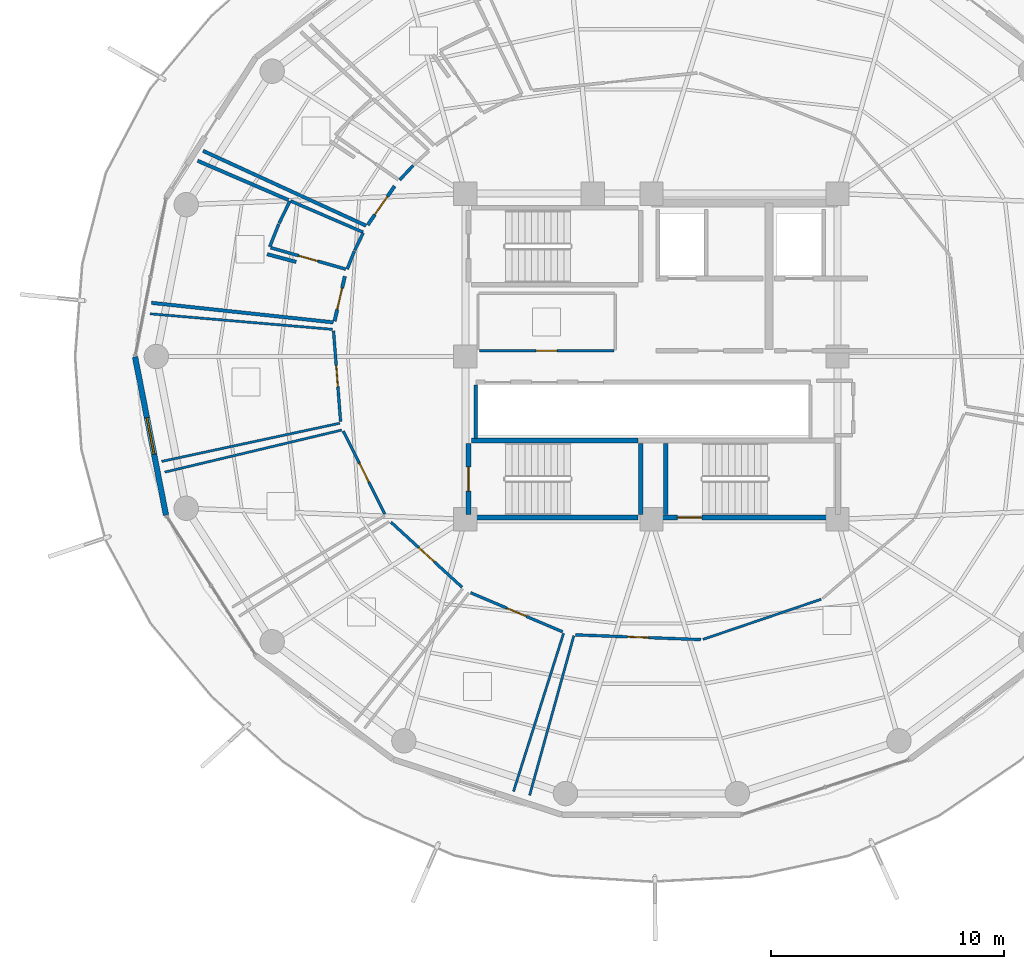
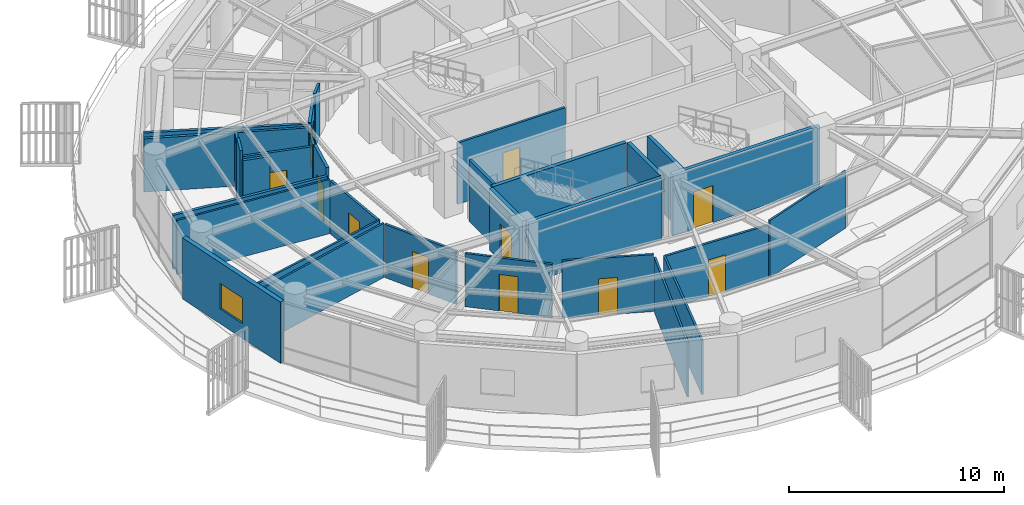
# One storey, part 24 of 31: 33 walls, 11 doors, 1 window, 12 openings.
"""IFC4 building model written with IfcOpenShell, lengths in metres."""

import ifcopenshell
import ifcopenshell.guid

model = None  # the IFC model being written
_history = None  # IfcOwnerHistory: only IFC2X3 demands one
_inside = {}  # id of a spatial element -> (the spatial element, [elements in it])
_under = {}  # id of a project, library or spatial element -> (it, [spatial elements below it])
_declared = {}  # id of a project -> (the project, [libraries it declares])
_typed = {}  # id of a type object -> (the type object, [elements of that type])
_made_of = {}  # id of a material, layer set ... -> (it, [elements and type objects made of it])


def new_model(schema):
    """Start an empty IFC model of exactly this schema.

    Asked for "IFC4X3", IfcOpenShell would pick the latest addendum, in which some entities
    have other attributes; the version numbers below select the first issue.
    IFC2X3 requires an IfcOwnerHistory on every rooted entity: one is made here for all.
    """
    global model, _history
    if schema == "IFC4X3":
        model = ifcopenshell.file(schema_version=(4, 3, 0, 0))
    else:
        model = ifcopenshell.file(schema=schema)
    _inside.clear()
    _under.clear()
    _declared.clear()
    _typed.clear()
    _made_of.clear()
    _history = None
    if model.schema == "IFC2X3":
        org = make("IfcOrganization", Name="unknown")
        user = make(
            "IfcPersonAndOrganization",
            ThePerson=make("IfcPerson", FamilyName="unknown"),
            TheOrganization=org,
        )
        app = make(
            "IfcApplication",
            ApplicationDeveloper=org,
            Version="unknown",
            ApplicationFullName="unknown",
            ApplicationIdentifier="unknown",
        )
        _history = make(
            "IfcOwnerHistory",
            OwningUser=user,
            OwningApplication=app,
            ChangeAction="ADDED",
            CreationDate=0,
        )
    return model


def make(cls, **values):
    """One entity of the class cls with the attributes given. An attribute that is None is left unset."""
    return model.create_entity(
        cls, **{name: value for name, value in values.items() if value is not None}
    )


def rooted(cls, **values):
    """An entity with a GlobalId (a new one), such as an element, a storey or a relation."""
    return make(cls, GlobalId=ifcopenshell.guid.new(), OwnerHistory=_history, **values)


def si_unit(unit_type, name, prefix=None):
    """IfcSIUnit, for example si_unit("LENGTHUNIT", "METRE", prefix="MILLI")."""
    return make("IfcSIUnit", UnitType=unit_type, Prefix=prefix, Name=name)


def assignment(units):
    """IfcUnitAssignment: the units of a project."""
    return None if units is None else make("IfcUnitAssignment", Units=units)


def point(xyz):
    """IfcCartesianPoint."""
    return None if xyz is None else make("IfcCartesianPoint", Coordinates=xyz)


def direction(xyz):
    """IfcDirection."""
    return None if xyz is None else make("IfcDirection", DirectionRatios=xyz)


def frame(location, z_axis=None, x_axis=None):
    """IfcAxis2Placement3D, a coordinate frame: its origin and axes. An axis left out is left unset."""
    return make(
        "IfcAxis2Placement3D",
        Location=point(location),
        Axis=direction(z_axis),
        RefDirection=direction(x_axis),
    )


def frame_2d(location, x_axis=None):
    """IfcAxis2Placement2D, a coordinate frame in the plane: its origin and x axis."""
    return make(
        "IfcAxis2Placement2D", Location=point(location), RefDirection=direction(x_axis)
    )


def origin():
    """The frame at (0, 0, 0) with its axes left unset."""
    return frame((0.0, 0.0, 0.0))


def place(relative_to, where):
    """IfcLocalPlacement: puts the frame where relative to a parent placement (None: the world)."""
    return make(
        "IfcLocalPlacement", PlacementRelTo=relative_to, RelativePlacement=where
    )


def context(
    kind, dimensions, precision=None, world=None, true_north=None, identifier=None
):
    """IfcGeometricRepresentationContext, for example the 3D "Model" context."""
    return make(
        "IfcGeometricRepresentationContext",
        ContextIdentifier=identifier,
        ContextType=kind,
        CoordinateSpaceDimension=dimensions,
        Precision=precision,
        WorldCoordinateSystem=world,
        TrueNorth=true_north,
    )


def subcontext(parent, identifier, kind, view, scale=None):
    """IfcGeometricRepresentationSubContext, for example "Body" below "Model"."""
    return make(
        "IfcGeometricRepresentationSubContext",
        ContextIdentifier=identifier,
        ContextType=kind,
        ParentContext=parent,
        TargetScale=scale,
        TargetView=view,
    )


def project(units=None, contexts=None):
    """IfcProject with its units and contexts."""
    return rooted(
        "IfcProject",
        Name="project",
        RepresentationContexts=contexts,
        UnitsInContext=assignment(units),
    )


def spatial(cls, under=None, at=None, **own):
    """A site, building, storey or space (cls), placed at a placement, below another one or the project."""
    s = rooted(cls, ObjectPlacement=at, **own)
    if under is not None:
        _under.setdefault(under.id(), (under, []))[1].append(s)
    return s


def profile(cls, at=None, kind="AREA", **sizes):
    """A parametric profile (cls). Its sizes go by their IFC names, for example OverallWidth=200.0."""
    return make(cls, ProfileType=kind, Position=at, **sizes)


def rectangle(**sizes):
    """IfcRectangleProfileDef."""
    return profile("IfcRectangleProfileDef", **sizes)


def extrude(swept, where, along, depth):
    """IfcExtrudedAreaSolid: the profile swept, set in the frame where, extruded along a direction by depth."""
    return make(
        "IfcExtrudedAreaSolid",
        SweptArea=swept,
        Position=where,
        ExtrudedDirection=direction(along),
        Depth=depth,
    )


def shape(context_of_items, identifier, shape_type, items):
    """IfcShapeRepresentation: the items that make up one representation, for example the "Body"."""
    return make(
        "IfcShapeRepresentation",
        ContextOfItems=context_of_items,
        RepresentationIdentifier=identifier,
        RepresentationType=shape_type,
        Items=items,
    )


def material(Name=None, Category=None):
    """IfcMaterial."""
    return make("IfcMaterial", Name=Name, Category=Category)


def layer(
    of_material, thickness, ventilated=None, Name=None, Category=None, Priority=None
):
    """IfcMaterialLayer: one layer of a wall or slab, of a material (None: an air gap)."""
    return make(
        "IfcMaterialLayer",
        Material=of_material,
        LayerThickness=thickness,
        IsVentilated=ventilated,
        Name=Name,
        Category=Category,
        Priority=Priority,
    )


def layer_set(layers, Name=None):
    """IfcMaterialLayerSet."""
    return make("IfcMaterialLayerSet", MaterialLayers=layers, LayerSetName=Name)


def made_of(thing, what):
    """Note that an element or type object is made of a material, layer set ...; save() writes the relation."""
    if what is not None:
        _made_of.setdefault(what.id(), (what, []))[1].append(thing)
    return thing


def type_object(cls, material=None, **own):
    """A type object (cls), such as IfcWallType, which elements share."""
    return made_of(rooted(cls, **own), material)


def element(
    cls,
    number,
    at=None,
    inside=None,
    cuts=None,
    type_object=None,
    material=None,
    context=None,
    identifier="Body",
    shape_type=None,
    held_by="IfcProductDefinitionShape",
    body=None,
    shapes=None,
    **own,
):
    """One element of the class cls, such as IfcWall. Its Tag is "e" and its number.

    at: its placement. inside: the storey or other place that contains it. cuts: it is an
    opening in that element (IfcRelVoidsElement). A single representation is given by context,
    identifier, shape_type and body (its items); several are given by shapes. held_by: the class
    of the entity that holds the representations. save() writes the other relations.
    """
    e = rooted(cls, Tag="e%d" % number, ObjectPlacement=at, **own)
    if body is not None:
        shapes = [shape(context, identifier, shape_type, body)]
    if shapes is not None:
        e.Representation = make(held_by, Representations=shapes)
    if inside is not None:
        _inside.setdefault(inside.id(), (inside, []))[1].append(e)
    if cuts is not None:
        rooted(
            "IfcRelVoidsElement", RelatingBuildingElement=cuts, RelatedOpeningElement=e
        )
    if type_object is not None:
        _typed.setdefault(type_object.id(), (type_object, []))[1].append(e)
    return made_of(e, material)


def fill(opening, filler):
    """IfcRelFillsElement: the door or window that sits in an opening."""
    return rooted(
        "IfcRelFillsElement",
        RelatingOpeningElement=opening,
        RelatedBuildingElement=filler,
    )


def aggregate(whole, parts):
    """IfcRelAggregates: a whole, such as a stair, and the parts it consists of."""
    return rooted("IfcRelAggregates", RelatingObject=whole, RelatedObjects=parts)


def save(model, path):
    """Write the relations noted so far, then the file.

    IfcRelAggregates (storeys below a building ...), IfcRelContainedInSpatialStructure (elements
    in a storey), IfcRelDefinesByType, IfcRelAssociatesMaterial and IfcRelDeclares: one each for
    every whole, place, type object, material and project.
    """
    for whole, parts in _under.values():
        aggregate(whole, parts)
    for where, things in _inside.values():
        rooted(
            "IfcRelContainedInSpatialStructure",
            RelatedElements=things,
            RelatingStructure=where,
        )
    for kind, things in _typed.values():
        rooted("IfcRelDefinesByType", RelatedObjects=things, RelatingType=kind)
    for what, things in _made_of.values():
        rooted("IfcRelAssociatesMaterial", RelatedObjects=things, RelatingMaterial=what)
    for by, libraries in _declared.values():
        rooted("IfcRelDeclares", RelatingContext=by, RelatedDefinitions=libraries)
    model.write(path)


model = new_model("IFC4")

# Units and contexts
model_context = context("Model", 3, precision=1e-05, world=origin(), true_north=direction((0.0, 1.0)))
body_context = subcontext(model_context, "Body", "Model", "MODEL_VIEW")
ifc_project = project(units=[si_unit("LENGTHUNIT", "METRE"), si_unit("AREAUNIT", "SQUARE_METRE"), si_unit("VOLUMEUNIT", "CUBIC_METRE"), si_unit("PLANEANGLEUNIT", "RADIAN"), si_unit("MASSUNIT", "GRAM", prefix="KILO")], contexts=[model_context])

# Site, building, storey
site_placement = place(None, origin())
site = spatial("IfcSite", under=ifc_project, at=site_placement, CompositionType="ELEMENT")
building_placement = place(site_placement, origin())
building = spatial("IfcBuilding", under=site, at=building_placement, Name="Kelanora Arch Commons", CompositionType="ELEMENT")
storey_placement = place(building_placement, frame((0.0, 0.0, 219.449951171875)))
storey = spatial("IfcBuildingStorey", under=building, at=storey_placement, Name="L56", CompositionType="ELEMENT", Elevation=219.449951171875)

# Wall
ifc_material_1 = material(Name="Autoclaved aerated concrete blockwork with fire plaster", Category="masonry")
ifc_layer_1 = layer(ifc_material_1, 0.14990234375)
ifc_layer_set_1 = layer_set([ifc_layer_1], Name="Autoclaved aerated concrete blockwork with fire plaster")
wall_type_1 = type_object("IfcWallType", Name="W-COMP-150", PredefinedType="PARTITIONING", material=ifc_layer_set_1)
wall_1_placement = place(storey_placement, frame((66.4599609375, 54.47998046875, 0.0), z_axis=(0.0, 0.0, 1.0), x_axis=(0.0, 1.0, 0.0)))
element("IfcWall", 1, at=wall_1_placement, inside=storey, type_object=wall_type_1, Name="South Lift Bank West Wall L56", PredefinedType="PARTITIONING", context=body_context, shape_type="SweptSolid", body=[
    extrude(rectangle(XDim=2.2900390625, YDim=0.14990234375, at=frame_2d((1.14501953125, 0.0))), origin(), (0.0, 0.0, 1.0), 3.47998046875),
])

# Wall, opening, door
wall_2_placement = place(storey_placement, frame((62.962890625, 65.32568359375, 0.0), z_axis=(0.0, 0.0, 1.0), x_axis=(-0.569634666298, -0.821898014933, 0.0)))
wall_2 = element("IfcWall", 2, at=wall_2_placement, inside=storey, type_object=wall_type_1, Name="Cluster Bedroom L56-02 Entry Partition", PredefinedType="PARTITIONING", context=body_context, shape_type="SweptSolid", body=[
    extrude(rectangle(XDim=2.032470703125, YDim=0.14990234375, at=frame_2d((1.01611328125, 0.0))), origin(), (0.0, 0.0, 1.0), 3.025146484375),
])
opening_1_placement = place(wall_2_placement, frame((0.541015625, 0.0, 0.0)))
opening_1 = element("IfcOpeningElement", 3, at=opening_1_placement, cuts=wall_2, Name="Opening D-CLU1", PredefinedType="OPENING", context=body_context, shape_type="SweptSolid", body=[
    extrude(rectangle(XDim=0.949951171875, YDim=2.080078125, at=frame_2d((0.47509765625, 1.0400390625))), frame((0.0, 0.0849609375, 0.0), z_axis=(0.0, -1.0, 0.0), x_axis=(1.0, 0.0, 0.0)), (0.0, 0.0, 1.0), 0.169921875),
])
ifc_material_2 = material(Name="Solid-core acoustic timber cluster entry fire door", Category="wood")
door_type_1 = type_object("IfcDoorType", Name="D-CLU-95", OperationType="NOTDEFINED", PredefinedType="DOOR", material=ifc_material_2)
door_1_placement = place(opening_1_placement, origin())
door_1 = element("IfcDoor", 4, at=door_1_placement, inside=storey, type_object=door_type_1, Name="Cluster Bedroom L56-02 Door", OperationType="SINGLE_SWING_LEFT", OverallHeight=2.080078125, OverallWidth=0.949951171875, PredefinedType="DOOR", context=body_context, shape_type="SweptSolid", body=[
    extrude(rectangle(XDim=0.949951171875, YDim=2.080078125, at=frame_2d((0.47509765625, 1.0400390625))), frame((0.0, 0.02490234375, 0.0), z_axis=(0.0, -1.0, 0.0), x_axis=(1.0, 0.0, 0.0)), (0.0, 0.0, 1.0), 0.050048828125),
])
fill(opening_1, door_1)

wall_3_placement = place(storey_placement, frame((60.822509765625, 61.445556640625, 0.0), z_axis=(0.0, 0.0, 1.0), x_axis=(-0.223956243079, -0.97459920028, 0.0)))
wall_3 = element("IfcWall", 5, at=wall_3_placement, inside=storey, type_object=wall_type_1, Name="Cluster Bedroom L56-03 Entry Partition", PredefinedType="PARTITIONING", context=body_context, shape_type="SweptSolid", body=[
    extrude(rectangle(XDim=1.97412109375, YDim=0.14990234375, at=frame_2d((0.987060546875, 0.0))), origin(), (0.0, 0.0, 1.0), 3.47998046875),
])
opening_2_placement = place(wall_3_placement, frame((0.511962890625, 0.0, 0.0)))
opening_2 = element("IfcOpeningElement", 6, at=opening_2_placement, cuts=wall_3, Name="Opening D-CLU1", PredefinedType="OPENING", context=body_context, shape_type="SweptSolid", body=[
    extrude(rectangle(XDim=0.949951171875, YDim=2.080078125, at=frame_2d((0.47509765625, 1.0400390625))), frame((0.0, 0.0849609375, 0.0), z_axis=(0.0, -1.0, 0.0), x_axis=(1.0, 0.0, 0.0)), (0.0, 0.0, 1.0), 0.169921875),
])
door_2_placement = place(opening_2_placement, origin())
door_2 = element("IfcDoor", 7, at=door_2_placement, inside=storey, type_object=door_type_1, Name="Cluster Bedroom L56-03 Door", OperationType="SINGLE_SWING_LEFT", OverallHeight=2.080078125, OverallWidth=0.949951171875, PredefinedType="DOOR", context=body_context, shape_type="SweptSolid", body=[
    extrude(rectangle(XDim=0.949951171875, YDim=2.080078125, at=frame_2d((0.47509765625, 1.0400390625))), frame((0.0, 0.02490234375, 0.0), z_axis=(0.0, -1.0, 0.0), x_axis=(1.0, 0.0, 0.0)), (0.0, 0.0, 1.0), 0.050048828125),
])
fill(opening_2, door_2)

# Walls
wall_4_placement = place(storey_placement, frame((61.734619140625, 63.622802734375, 0.0), z_axis=(0.0, 0.0, 1.0), x_axis=(-0.908799831152, 0.417232389561, 0.0)))
element("IfcWall", 8, at=wall_4_placement, inside=storey, type_object=wall_type_1, Name="Cluster Bedroom L56-02 Enclosure Partition 2", PredefinedType="PARTITIONING", context=body_context, shape_type="SweptSolid", body=[
    extrude(rectangle(XDim=7.711669921875, YDim=0.14990234375, at=frame_2d((3.85595703125, 0.0))), origin(), (0.0, 0.0, 1.0), 3.025146484375),
])
wall_5_placement = place(storey_placement, frame((60.3271484375, 59.46728515625, 0.0), z_axis=(0.0, 0.0, 1.0), x_axis=(-0.994280915129, 0.10679635673, 0.0)))
element("IfcWall", 9, at=wall_5_placement, inside=storey, type_object=wall_type_1, Name="Cluster Bedroom L56-03 Enclosure Partition 2", PredefinedType="PARTITIONING", context=body_context, shape_type="SweptSolid", body=[
    extrude(rectangle(XDim=7.859375, YDim=0.14990234375, at=frame_2d((3.9296875, 0.0))), origin(), (0.0, 0.0, 1.0), 3.074951171875),
])
wall_6_placement = place(storey_placement, frame((54.49169921875, 66.4140625, 0.0), z_axis=(0.0, 0.0, 1.0), x_axis=(0.918147334224, -0.396239160934, 0.0)))
element("IfcWall", 10, at=wall_6_placement, inside=storey, type_object=wall_type_1, Name="Cluster Bedroom L56-03 Enclosure Partition 5", PredefinedType="PARTITIONING", context=body_context, shape_type="SweptSolid", body=[
    extrude(rectangle(XDim=4.252685546875, YDim=0.14990234375, at=frame_2d((2.12646484375, 0.0))), origin(), (0.0, 0.0, 1.0), 3.025146484375),
])
wall_7_placement = place(storey_placement, frame((57.482666015625, 62.397705078125, 0.0), z_axis=(0.0, 0.0, 1.0), x_axis=(0.966263202112, -0.257556642788, 0.0)))
element("IfcWall", 11, at=wall_7_placement, inside=storey, type_object=wall_type_1, Name="Cluster Bedroom L56-03 Enclosure Partition 7", PredefinedType="PARTITIONING", context=body_context, shape_type="SweptSolid", body=[
    extrude(rectangle(XDim=1.2900390625, YDim=0.14990234375, at=frame_2d((0.64501953125, 0.0))), origin(), (0.0, 0.0, 1.0), 3.175048828125),
])

# Wall, opening, window
ifc_material_3 = material(Name="Precast concrete C40/50 upper-zone terracotta rainscreen", Category="masonry")
ifc_layer_2 = layer(ifc_material_3, 0.239990234375)
ifc_layer_set_2 = layer_set([ifc_layer_2], Name="Precast concrete C40/50 upper-zone terracotta rainscreen")
wall_type_2 = type_object("IfcWallType", Name="W-EXT-TC2", PredefinedType="SOLIDWALL", material=ifc_layer_set_2)
wall_8_placement = place(storey_placement, frame((51.802978515625, 57.9853515625, 0.0), z_axis=(0.0, 0.0, 1.0), x_axis=(0.192069055673, -0.981381413036, 0.0)))
wall_8 = element("IfcWall", 12, at=wall_8_placement, inside=storey, type_object=wall_type_2, Name="Terracotta Exterior Wall L56-B09", PredefinedType="SOLIDWALL", context=body_context, shape_type="SweptSolid", body=[
    extrude(rectangle(XDim=6.940185546875, YDim=0.239990234375, at=frame_2d((3.47021484375, 0.0))), origin(), (0.0, 0.0, 1.0), 3.47509765625),
])
opening_3_placement = place(wall_8_placement, frame((2.669921875, 0.0, 0.85009765625)))
opening_3 = element("IfcOpeningElement", 13, at=opening_3_placement, cuts=wall_8, Name="Opening WN-01", PredefinedType="OPENING", context=body_context, shape_type="SweptSolid", body=[
    extrude(rectangle(XDim=1.60009765625, YDim=1.449951171875, at=frame_2d((0.800048828125, 0.72509765625))), frame((0.0, 0.1298828125, 0.0), z_axis=(0.0, -1.0, 0.0), x_axis=(1.0, 0.0, 0.0)), (0.0, 0.0, 1.0), 0.260009765625),
])
ifc_material_4 = material(Name="Terracotta-anodised aluminium frame with operable low-E glazing", Category="masonry")
window_type = type_object("IfcWindowType", Name="WIN-CL-18", PartitioningType="DOUBLE_PANEL_VERTICAL", PredefinedType="WINDOW", material=ifc_material_4)
window_placement = place(opening_3_placement, origin())
window = element("IfcWindow", 14, at=window_placement, inside=storey, type_object=window_type, Name="Co-Living Operable Window L56-B09", OverallHeight=1.449951171875, OverallWidth=1.60009765625, PartitioningType="SINGLE_PANEL", PredefinedType="WINDOW", context=body_context, shape_type="SweptSolid", body=[
    extrude(rectangle(XDim=1.60009765625, YDim=1.449951171875, at=frame_2d((0.800048828125, 0.72509765625))), frame((0.0, 0.030029296875, 0.0), z_axis=(0.0, -1.0, 0.0), x_axis=(1.0, 0.0, 0.0)), (0.0, 0.0, 1.0), 0.06005859375),
])
fill(opening_3, window)

# Walls
ifc_material_5 = material(Name="Lightweight fire-rated acoustic stud partition")
ifc_layer_3 = layer(ifc_material_5, 0.10009765625)
ifc_layer_set_3 = layer_set([ifc_layer_3], Name="Lightweight fire-rated acoustic stud partition")
wall_type_3 = type_object("IfcWallType", Name="W-PART-100", PredefinedType="PARTITIONING", material=ifc_layer_set_3)
wall_9_placement = place(storey_placement, frame((76.220947265625, 45.83984375, 0.0), z_axis=(0.0, 0.0, 1.0), x_axis=(0.946842090113, 0.321698704367, 0.0)))
element("IfcWall", 15, at=wall_9_placement, inside=storey, type_object=wall_type_3, Name="South-East Social Sky Lounge L56 Enclosure Partition 2", PredefinedType="PARTITIONING", context=body_context, shape_type="SweptSolid", body=[
    extrude(rectangle(XDim=5.36328125, YDim=0.10009765625, at=frame_2d((2.681640625, 0.0))), origin(), (0.0, 0.0, 1.0), 3.235107421875),
])
wall_10_placement = place(storey_placement, frame((68.765625, 39.137451171875, 0.0), z_axis=(0.0, 0.0, 1.0), x_axis=(0.267125564166, 0.96366173161, 0.0)))
element("IfcWall", 16, at=wall_10_placement, inside=storey, type_object=wall_type_3, Name="South-East Social Sky Lounge L56 Enclosure Partition 10", PredefinedType="PARTITIONING", context=body_context, shape_type="SweptSolid", body=[
    extrude(rectangle(XDim=7.118896484375, YDim=0.10009765625, at=frame_2d((3.5595703125, 0.0))), origin(), (0.0, 0.0, 1.0), 3.074951171875),
])
wall_11_placement = place(storey_placement, frame((60.60595703125, 55.131591796875, 0.0), z_axis=(0.0, 0.0, 1.0), x_axis=(-0.977761328162, -0.209720731335, 0.0)))
element("IfcWall", 17, at=wall_11_placement, inside=storey, type_object=wall_type_3, Name="Shared Cluster Kitchen L56-04 Enclosure Partition 2", PredefinedType="PARTITIONING", context=body_context, shape_type="SweptSolid", body=[
    extrude(rectangle(XDim=7.829833984375, YDim=0.10009765625, at=frame_2d((3.9150390625, 0.0))), origin(), (0.0, 0.0, 1.0), 3.074951171875),
])
wall_12_placement = place(storey_placement, frame((52.456787109375, 59.834716796875, 0.0), z_axis=(0.0, 0.0, 1.0), x_axis=(0.996382192496, -0.084985448623, 0.0)))
element("IfcWall", 18, at=wall_12_placement, inside=storey, type_object=wall_type_3, Name="Shared Cluster Kitchen L56-04 Enclosure Partition 4", PredefinedType="PARTITIONING", context=body_context, shape_type="SweptSolid", body=[
    extrude(rectangle(XDim=7.86279296875, YDim=0.10009765625, at=frame_2d((3.931396484375, 0.0))), origin(), (0.0, 0.0, 1.0), 3.074951171875),
])
wall_13_placement = place(storey_placement, frame((53.079833984375, 53.0283203125, 0.0), z_axis=(0.0, 0.0, 1.0), x_axis=(0.972861128156, 0.231389769272, 0.0)))
element("IfcWall", 19, at=wall_13_placement, inside=storey, type_object=wall_type_3, Name="Social Sky Lounge L56-05 Enclosure Partition 4", PredefinedType="PARTITIONING", context=body_context, shape_type="SweptSolid", body=[
    extrude(rectangle(XDim=7.8193359375, YDim=0.10009765625, at=frame_2d((3.90966796875, 0.0))), origin(), (0.0, 0.0, 1.0), 3.074951171875),
])
wall_14_placement = place(storey_placement, frame((70.226806640625, 46.10400390625, 0.0), z_axis=(0.0, 0.0, 1.0), x_axis=(-0.30191088513, -0.953336151334, 0.0)))
element("IfcWall", 20, at=wall_14_placement, inside=storey, type_object=wall_type_3, Name="Quiet Seminar Study Room L56-07 Enclosure Partition 2", PredefinedType="PARTITIONING", context=body_context, shape_type="SweptSolid", body=[
    extrude(rectangle(XDim=7.134033203125, YDim=0.10009765625, at=frame_2d((3.56689453125, 0.0))), origin(), (0.0, 0.0, 1.0), 3.074951171875),
])

# Wall, opening, door
ifc_material_6 = material(Name="Acoustic twin-stud fire-rated gypsum partition")
ifc_layer_4 = layer(ifc_material_6, 0.1201171875)
ifc_layer_set_4 = layer_set([ifc_layer_4], Name="Acoustic twin-stud fire-rated gypsum partition")
wall_type_4 = type_object("IfcWallType", Name="W-PART-120", PredefinedType="PARTITIONING", material=ifc_layer_set_4)
wall_15_placement = place(storey_placement, frame((66.610107421875, 58.25, 0.0), z_axis=(0.0, 0.0, 1.0), x_axis=(1.0, 0.0, 0.0)))
wall_15 = element("IfcWall", 21, at=wall_15_placement, inside=storey, type_object=wall_type_4, Name="Reclaimed Core Study Pod Lounge L56 Entry Partition", PredefinedType="PARTITIONING", context=body_context, shape_type="SweptSolid", body=[
    extrude(rectangle(XDim=5.77978515625, YDim=0.1201171875, at=frame_2d((2.889892578125, 0.0))), origin(), (0.0, 0.0, 1.0), 3.47998046875),
])
opening_4_placement = place(wall_15_placement, frame((2.43994140625, 0.0, 0.0)))
opening_4 = element("IfcOpeningElement", 22, at=opening_4_placement, cuts=wall_15, Name="Opening D-RM1", PredefinedType="OPENING", context=body_context, shape_type="SweptSolid", body=[
    extrude(rectangle(XDim=0.89990234375, YDim=2.080078125, at=frame_2d((0.449951171875, 1.0400390625))), frame((0.0, 0.070068359375, 0.0), z_axis=(0.0, -1.0, 0.0), x_axis=(1.0, 0.0, 0.0)), (0.0, 0.0, 1.0), 0.14013671875),
])
ifc_material_7 = material(Name="Acoustic fire-rated timber study and lounge door", Category="wood")
door_type_2 = type_object("IfcDoorType", Name="D-ROOM-90", OperationType="NOTDEFINED", PredefinedType="DOOR", material=ifc_material_7)
door_3_placement = place(opening_4_placement, origin())
door_3 = element("IfcDoor", 23, at=door_3_placement, inside=storey, type_object=door_type_2, Name="Reclaimed Core Study Pod Lounge L56 Door", OperationType="SINGLE_SWING_LEFT", OverallHeight=2.080078125, OverallWidth=0.89990234375, PredefinedType="DOOR", context=body_context, shape_type="SweptSolid", body=[
    extrude(rectangle(XDim=0.89990234375, YDim=2.080078125, at=frame_2d((0.449951171875, 1.0400390625))), frame((0.0, 0.02490234375, 0.0), z_axis=(0.0, -1.0, 0.0), x_axis=(1.0, 0.0, 0.0)), (0.0, 0.0, 1.0), 0.050048828125),
])
fill(opening_4, door_3)

wall_16_placement = place(storey_placement, frame((70.738037109375, 46.03369140625, 0.0), z_axis=(0.0, 0.0, 1.0), x_axis=(0.99928078405, -0.037919844777, 0.0)))
wall_16 = element("IfcWall", 24, at=wall_16_placement, inside=storey, type_object=wall_type_4, Name="South-East Social Sky Lounge L56 Entry Partition", PredefinedType="PARTITIONING", context=body_context, shape_type="SweptSolid", body=[
    extrude(rectangle(XDim=5.388916015625, YDim=0.1201171875, at=frame_2d((2.6943359375, 0.0))), origin(), (0.0, 0.0, 1.0), 3.025146484375),
])
opening_5_placement = place(wall_16_placement, frame((2.243896484375, 0.0, 0.0)))
opening_5 = element("IfcOpeningElement", 25, at=opening_5_placement, cuts=wall_16, Name="Opening D-RM1", PredefinedType="OPENING", context=body_context, shape_type="SweptSolid", body=[
    extrude(rectangle(XDim=0.89990234375, YDim=2.080078125, at=frame_2d((0.449951171875, 1.0400390625))), frame((0.0, 0.070068359375, 0.0), z_axis=(0.0, -1.0, 0.0), x_axis=(1.0, 0.0, 0.0)), (0.0, 0.0, 1.0), 0.14013671875),
])
door_4_placement = place(opening_5_placement, origin())
door_4 = element("IfcDoor", 26, at=door_4_placement, inside=storey, type_object=door_type_2, Name="South-East Social Sky Lounge L56 Door", OperationType="SINGLE_SWING_RIGHT", OverallHeight=2.080078125, OverallWidth=0.89990234375, PredefinedType="DOOR", context=body_context, shape_type="SweptSolid", body=[
    extrude(rectangle(XDim=0.89990234375, YDim=2.080078125, at=frame_2d((0.449951171875, 1.0400390625))), frame((0.0, 0.02490234375, 0.0), z_axis=(0.0, -1.0, 0.0), x_axis=(1.0, 0.0, 0.0)), (0.0, 0.0, 1.0), 0.050048828125),
])
fill(opening_5, door_4)

wall_17_placement = place(storey_placement, frame((60.335693359375, 59.103271484375, 0.0), z_axis=(0.0, 0.0, 1.0), x_axis=(0.07781697677, -0.996967661525, 0.0)))
wall_17 = element("IfcWall", 27, at=wall_17_placement, inside=storey, type_object=wall_type_4, Name="Shared Cluster Kitchen L56-04 Entry Partition", PredefinedType="PARTITIONING", context=body_context, shape_type="SweptSolid", body=[
    extrude(rectangle(XDim=3.91552734375, YDim=0.1201171875, at=frame_2d((1.957763671875, 0.0))), origin(), (0.0, 0.0, 1.0), 3.025146484375),
])
opening_6_placement = place(wall_17_placement, frame((1.508056640625, 0.0, 0.0)))
opening_6 = element("IfcOpeningElement", 28, at=opening_6_placement, cuts=wall_17, Name="Opening D-RM1", PredefinedType="OPENING", context=body_context, shape_type="SweptSolid", body=[
    extrude(rectangle(XDim=0.89990234375, YDim=2.080078125, at=frame_2d((0.449951171875, 1.0400390625))), frame((0.0, 0.070068359375, 0.0), z_axis=(0.0, -1.0, 0.0), x_axis=(1.0, 0.0, 0.0)), (0.0, 0.0, 1.0), 0.14013671875),
])
door_5_placement = place(opening_6_placement, origin())
door_5 = element("IfcDoor", 29, at=door_5_placement, inside=storey, type_object=door_type_2, Name="Shared Cluster Kitchen L56-04 Door", OperationType="SINGLE_SWING_RIGHT", OverallHeight=2.080078125, OverallWidth=0.89990234375, PredefinedType="DOOR", context=body_context, shape_type="SweptSolid", body=[
    extrude(rectangle(XDim=0.89990234375, YDim=2.080078125, at=frame_2d((0.449951171875, 1.0400390625))), frame((0.0, 0.02490234375, 0.0), z_axis=(0.0, -1.0, 0.0), x_axis=(1.0, 0.0, 0.0)), (0.0, 0.0, 1.0), 0.050048828125),
])
fill(opening_6, door_5)

wall_18_placement = place(storey_placement, frame((60.7529296875, 54.79345703125, 0.0), z_axis=(0.0, 0.0, 1.0), x_axis=(0.448191244457, -0.893937698272, 0.0)))
wall_18 = element("IfcWall", 30, at=wall_18_placement, inside=storey, type_object=wall_type_4, Name="Social Sky Lounge L56-05 Entry Partition", PredefinedType="PARTITIONING", context=body_context, shape_type="SweptSolid", body=[
    extrude(rectangle(XDim=3.994384765625, YDim=0.1201171875, at=frame_2d((1.9970703125, 0.0))), origin(), (0.0, 0.0, 1.0), 3.025146484375),
])
opening_7_placement = place(wall_18_placement, frame((1.547119140625, 0.0, 0.0)))
opening_7 = element("IfcOpeningElement", 31, at=opening_7_placement, cuts=wall_18, Name="Opening D-RM1", PredefinedType="OPENING", context=body_context, shape_type="SweptSolid", body=[
    extrude(rectangle(XDim=0.89990234375, YDim=2.080078125, at=frame_2d((0.449951171875, 1.0400390625))), frame((0.0, 0.070068359375, 0.0), z_axis=(0.0, -1.0, 0.0), x_axis=(1.0, 0.0, 0.0)), (0.0, 0.0, 1.0), 0.14013671875),
])
door_6_placement = place(opening_7_placement, origin())
door_6 = element("IfcDoor", 32, at=door_6_placement, inside=storey, type_object=door_type_2, Name="Social Sky Lounge L56-05 Door", OperationType="SINGLE_SWING_LEFT", OverallHeight=2.080078125, OverallWidth=0.89990234375, PredefinedType="DOOR", context=body_context, shape_type="SweptSolid", body=[
    extrude(rectangle(XDim=0.89990234375, YDim=2.080078125, at=frame_2d((0.449951171875, 1.0400390625))), frame((0.0, 0.02490234375, 0.0), z_axis=(0.0, -1.0, 0.0), x_axis=(1.0, 0.0, 0.0)), (0.0, 0.0, 1.0), 0.050048828125),
])
fill(opening_7, door_6)

wall_19_placement = place(storey_placement, frame((62.80322265625, 50.87939453125, 0.0), z_axis=(0.0, 0.0, 1.0), x_axis=(0.737723633035, -0.675102837545, 0.0)))
wall_19 = element("IfcWall", 33, at=wall_19_placement, inside=storey, type_object=wall_type_4, Name="Quiet Seminar Study Room L56-06 Entry Partition", PredefinedType="PARTITIONING", context=body_context, shape_type="SweptSolid", body=[
    extrude(rectangle(XDim=4.144287109375, YDim=0.1201171875, at=frame_2d((2.072265625, 0.0))), origin(), (0.0, 0.0, 1.0), 3.025146484375),
])
opening_8_placement = place(wall_19_placement, frame((1.6220703125, 0.0, 0.0)))
opening_8 = element("IfcOpeningElement", 34, at=opening_8_placement, cuts=wall_19, Name="Opening D-RM1", PredefinedType="OPENING", context=body_context, shape_type="SweptSolid", body=[
    extrude(rectangle(XDim=0.89990234375, YDim=2.080078125, at=frame_2d((0.449951171875, 1.0400390625))), frame((0.0, 0.070068359375, 0.0), z_axis=(0.0, -1.0, 0.0), x_axis=(1.0, 0.0, 0.0)), (0.0, 0.0, 1.0), 0.14013671875),
])
door_7_placement = place(opening_8_placement, origin())
door_7 = element("IfcDoor", 35, at=door_7_placement, inside=storey, type_object=door_type_2, Name="Quiet Seminar Study Room L56-06 Door", OperationType="SINGLE_SWING_RIGHT", OverallHeight=2.080078125, OverallWidth=0.89990234375, PredefinedType="DOOR", context=body_context, shape_type="SweptSolid", body=[
    extrude(rectangle(XDim=0.89990234375, YDim=2.080078125, at=frame_2d((0.449951171875, 1.0400390625))), frame((0.0, 0.02490234375, 0.0), z_axis=(0.0, -1.0, 0.0), x_axis=(1.0, 0.0, 0.0)), (0.0, 0.0, 1.0), 0.050048828125),
])
fill(opening_8, door_7)

wall_20_placement = place(storey_placement, frame((66.233154296875, 47.842529296875, 0.0), z_axis=(0.0, 0.0, 1.0), x_axis=(0.920481353999, -0.390786485105, 0.0)))
wall_20 = element("IfcWall", 36, at=wall_20_placement, inside=storey, type_object=wall_type_4, Name="Quiet Seminar Study Room L56-07 Entry Partition", PredefinedType="PARTITIONING", context=body_context, shape_type="SweptSolid", body=[
    extrude(rectangle(XDim=4.2919921875, YDim=0.1201171875, at=frame_2d((2.14599609375, 0.0))), origin(), (0.0, 0.0, 1.0), 3.235107421875),
])
opening_9_placement = place(wall_20_placement, frame((1.696044921875, 0.0, 0.0)))
opening_9 = element("IfcOpeningElement", 37, at=opening_9_placement, cuts=wall_20, Name="Opening D-RM1", PredefinedType="OPENING", context=body_context, shape_type="SweptSolid", body=[
    extrude(rectangle(XDim=0.89990234375, YDim=2.080078125, at=frame_2d((0.449951171875, 1.0400390625))), frame((0.0, 0.070068359375, 0.0), z_axis=(0.0, -1.0, 0.0), x_axis=(1.0, 0.0, 0.0)), (0.0, 0.0, 1.0), 0.14013671875),
])
door_8_placement = place(opening_9_placement, origin())
door_8 = element("IfcDoor", 38, at=door_8_placement, inside=storey, type_object=door_type_2, Name="Quiet Seminar Study Room L56-07 Door", OperationType="SINGLE_SWING_LEFT", OverallHeight=2.080078125, OverallWidth=0.89990234375, PredefinedType="DOOR", context=body_context, shape_type="SweptSolid", body=[
    extrude(rectangle(XDim=0.89990234375, YDim=2.080078125, at=frame_2d((0.449951171875, 1.0400390625))), frame((0.0, 0.02490234375, 0.0), z_axis=(0.0, -1.0, 0.0), x_axis=(1.0, 0.0, 0.0)), (0.0, 0.0, 1.0), 0.050048828125),
])
fill(opening_9, door_8)

ifc_material_8 = material(Name="Concrete C40/50", Category="concrete")
ifc_layer_5 = layer(ifc_material_8, 0.199951171875)
ifc_layer_set_5 = layer_set([ifc_layer_5], Name="Concrete C40/50")
wall_type_5 = type_object("IfcWallType", Name="W-STAIR-200", PredefinedType="SHEAR", material=ifc_layer_set_5)
wall_21_placement = place(storey_placement, frame((74.0, 51.080078125, 0.0), z_axis=(0.0, 0.0, 1.0), x_axis=(1.0, 0.0, 0.0)))
wall_21 = element("IfcWall", 39, at=wall_21_placement, inside=storey, type_object=wall_type_5, Name="Stair ST-T2 Shaft Wall S L56", PredefinedType="SHEAR", context=body_context, shape_type="SweptSolid", body=[
    extrude(rectangle(XDim=7.89990234375, YDim=0.199951171875, at=frame_2d((3.949951171875, 0.0))), origin(), (0.0, 0.0, 1.0), 3.489990234375),
])
opening_10_placement = place(wall_21_placement, frame((1.1201171875, 0.0, 0.0)))
opening_10 = element("IfcOpeningElement", 40, at=opening_10_placement, cuts=wall_21, Name="Opening D-ST1", PredefinedType="OPENING", context=body_context, shape_type="SweptSolid", body=[
    extrude(rectangle(XDim=1.050048828125, YDim=2.10009765625, at=frame_2d((0.52490234375, 1.050048828125))), frame((0.0, 0.10986328125, 0.0), z_axis=(0.0, -1.0, 0.0), x_axis=(1.0, 0.0, 0.0)), (0.0, 0.0, 1.0), 0.219970703125),
])
ifc_material_9 = material(Name="Steel fire-rated stairwell escape door", Category="steel")
door_type_3 = type_object("IfcDoorType", Name="D-STAIR-110", OperationType="NOTDEFINED", PredefinedType="DOOR", material=ifc_material_9)
door_9_placement = place(opening_10_placement, origin())
door_9 = element("IfcDoor", 41, at=door_9_placement, inside=storey, type_object=door_type_3, Name="Stair ST-T2 Escape Door L56", OperationType="SINGLE_SWING_LEFT", OverallHeight=2.10009765625, OverallWidth=1.050048828125, PredefinedType="DOOR", context=body_context, shape_type="SweptSolid", body=[
    extrude(rectangle(XDim=1.050048828125, YDim=2.10009765625, at=frame_2d((0.52490234375, 1.050048828125))), frame((0.0, 0.02490234375, 0.0), z_axis=(0.0, -1.0, 0.0), x_axis=(1.0, 0.0, 0.0)), (0.0, 0.0, 1.0), 0.050048828125),
])
fill(opening_10, door_9)

# Walls
wall_22_placement = place(storey_placement, frame((74.6201171875, 54.27001953125, 0.0), z_axis=(0.0, 0.0, 1.0), x_axis=(0.0, -1.0, 0.0)))
element("IfcWall", 42, at=wall_22_placement, inside=storey, type_object=wall_type_5, Name="Stair ST-T2 Shaft Wall W L56", PredefinedType="SHEAR", context=body_context, shape_type="SweptSolid", body=[
    extrude(rectangle(XDim=3.070068359375, YDim=0.199951171875, at=frame_2d((1.53515625, 0.0))), origin(), (0.0, 0.0, 1.0), 3.489990234375),
])
wall_23_placement = place(storey_placement, frame((66.260009765625, 51.080078125, 0.0), z_axis=(0.0, 0.0, 1.0), x_axis=(1.0, 0.0, 0.0)))
element("IfcWall", 43, at=wall_23_placement, inside=storey, type_object=wall_type_5, Name="Stair ST-T3 Shaft Wall S L56", PredefinedType="SHEAR", context=body_context, shape_type="SweptSolid", body=[
    extrude(rectangle(XDim=7.159912109375, YDim=0.199951171875, at=frame_2d((3.580078125, 0.0))), origin(), (0.0, 0.0, 1.0), 3.489990234375),
])
wall_24_placement = place(storey_placement, frame((73.5400390625, 51.199951171875, 0.0), z_axis=(0.0, 0.0, 1.0), x_axis=(0.0, 1.0, 0.0)))
element("IfcWall", 44, at=wall_24_placement, inside=storey, type_object=wall_type_5, Name="Stair ST-T3 Shaft Wall E L56", PredefinedType="SHEAR", context=body_context, shape_type="SweptSolid", body=[
    extrude(rectangle(XDim=3.070068359375, YDim=0.199951171875, at=frame_2d((1.53515625, 0.0))), origin(), (0.0, 0.0, 1.0), 3.489990234375),
])
wall_25_placement = place(storey_placement, frame((73.419921875, 54.389892578125, 0.0), z_axis=(0.0, 0.0, 1.0), x_axis=(-1.0, 0.0, 0.0)))
element("IfcWall", 45, at=wall_25_placement, inside=storey, type_object=wall_type_5, Name="Stair ST-T3 Shaft Wall N L56", PredefinedType="SHEAR", context=body_context, shape_type="SweptSolid", body=[
    extrude(rectangle(XDim=7.159912109375, YDim=0.199951171875, at=frame_2d((3.580078125, 0.0))), origin(), (0.0, 0.0, 1.0), 3.489990234375),
])

# Wall, opening, door
wall_26_placement = place(storey_placement, frame((66.139892578125, 54.27001953125, 0.0), z_axis=(0.0, 0.0, 1.0), x_axis=(0.0, -1.0, 0.0)))
wall_26 = element("IfcWall", 46, at=wall_26_placement, inside=storey, type_object=wall_type_5, Name="Stair ST-T3 Shaft Wall W L56", PredefinedType="SHEAR", context=body_context, shape_type="SweptSolid", body=[
    extrude(rectangle(XDim=3.070068359375, YDim=0.199951171875, at=frame_2d((1.53515625, 0.0))), origin(), (0.0, 0.0, 1.0), 3.489990234375),
])
opening_11_placement = place(wall_26_placement, frame((1.010009765625, 0.0, 0.0)))
opening_11 = element("IfcOpeningElement", 47, at=opening_11_placement, cuts=wall_26, Name="Opening D-ST1", PredefinedType="OPENING", context=body_context, shape_type="SweptSolid", body=[
    extrude(rectangle(XDim=1.050048828125, YDim=2.10009765625, at=frame_2d((0.52490234375, 1.050048828125))), frame((0.0, 0.10986328125, 0.0), z_axis=(0.0, -1.0, 0.0), x_axis=(1.0, 0.0, 0.0)), (0.0, 0.0, 1.0), 0.219970703125),
])
door_10_placement = place(opening_11_placement, origin())
door_10 = element("IfcDoor", 48, at=door_10_placement, inside=storey, type_object=door_type_3, Name="Stair ST-T3 Escape Door L56", OperationType="SINGLE_SWING_LEFT", OverallHeight=2.10009765625, OverallWidth=1.050048828125, PredefinedType="DOOR", context=body_context, shape_type="SweptSolid", body=[
    extrude(rectangle(XDim=1.050048828125, YDim=2.10009765625, at=frame_2d((0.52490234375, 1.050048828125))), frame((0.0, 0.02490234375, 0.0), z_axis=(0.0, -1.0, 0.0), x_axis=(1.0, 0.0, 0.0)), (0.0, 0.0, 1.0), 0.050048828125),
])
fill(opening_11, door_10)

ifc_material_10 = material(Name="Moisture-resistant fire-rated cement-board plumbing wall")
ifc_layer_6 = layer(ifc_material_10, 0.1298828125)
ifc_layer_set_6 = layer_set([ifc_layer_6], Name="Moisture-resistant fire-rated cement-board plumbing wall")
wall_type_6 = type_object("IfcWallType", Name="W-WET-120", PredefinedType="PLUMBINGWALL", material=ifc_layer_set_6)
wall_27_placement = place(storey_placement, frame((60.859375, 61.756591796875, 0.0), z_axis=(0.0, 0.0, 1.0), x_axis=(-0.961479890051, 0.274875282679, 0.0)))
wall_27 = element("IfcWall", 49, at=wall_27_placement, inside=storey, type_object=wall_type_6, Name="En-Suite Shower WC L56-03 Entry Partition", PredefinedType="PLUMBINGWALL", context=body_context, shape_type="SweptSolid", body=[
    extrude(rectangle(XDim=3.3466796875, YDim=0.1298828125, at=frame_2d((1.67333984375, 0.0))), origin(), (0.0, 0.0, 1.0), 3.175048828125),
])
opening_12_placement = place(wall_27_placement, frame((1.242919921875, 0.0, 0.0)))
opening_12 = element("IfcOpeningElement", 50, at=opening_12_placement, cuts=wall_27, Name="Opening D-BT1", PredefinedType="OPENING", context=body_context, shape_type="SweptSolid", body=[
    extrude(rectangle(XDim=0.860107421875, YDim=2.050048828125, at=frame_2d((0.43017578125, 1.02490234375))), frame((0.0, 0.074951171875, 0.0), z_axis=(0.0, -1.0, 0.0), x_axis=(1.0, 0.0, 0.0)), (0.0, 0.0, 1.0), 0.14990234375),
])
ifc_material_11 = material(Name="Moisture-sealed fire-rated accessible bathroom door")
door_type_4 = type_object("IfcDoorType", Name="D-BATH-85", OperationType="NOTDEFINED", PredefinedType="DOOR", material=ifc_material_11)
door_11_placement = place(opening_12_placement, origin())
door_11 = element("IfcDoor", 51, at=door_11_placement, inside=storey, type_object=door_type_4, Name="En-Suite Shower WC L56-03 Door", OperationType="SINGLE_SWING_RIGHT", OverallHeight=2.050048828125, OverallWidth=0.860107421875, PredefinedType="DOOR", context=body_context, shape_type="SweptSolid", body=[
    extrude(rectangle(XDim=0.860107421875, YDim=2.050048828125, at=frame_2d((0.43017578125, 1.02490234375))), frame((0.0, 0.02490234375, 0.0), z_axis=(0.0, -1.0, 0.0), x_axis=(1.0, 0.0, 0.0)), (0.0, 0.0, 1.0), 0.050048828125),
])
fill(opening_12, door_11)

# Walls
wall_28_placement = place(storey_placement, frame((63.763427734375, 66.21630859375, 0.0), z_axis=(0.0, 0.0, 1.0), x_axis=(-0.681245485542, -0.732055044672, 0.0)))
element("IfcWall", 52, at=wall_28_placement, inside=storey, type_object=wall_type_6, Name="En-Suite Shower WC L56-02 Enclosure Partition 2", PredefinedType="PLUMBINGWALL", context=body_context, shape_type="SweptSolid", body=[
    extrude(rectangle(XDim=0.860107421875, YDim=0.1298828125, at=frame_2d((0.43017578125, 0.0))), origin(), (0.0, 0.0, 1.0), 3.025146484375),
])
wall_29_placement = place(storey_placement, frame((61.61328125, 63.318115234375, 0.0), z_axis=(0.0, 0.0, 1.0), x_axis=(-0.437484879269, -0.899225767208, 0.0)))
element("IfcWall", 53, at=wall_29_placement, inside=storey, type_object=wall_type_6, Name="En-Suite Shower WC L56-03 Enclosure Partition 1", PredefinedType="PLUMBINGWALL", context=body_context, shape_type="SweptSolid", body=[
    extrude(rectangle(XDim=0.83544921875, YDim=0.1298828125, at=frame_2d((0.417724609375, 0.0))), origin(), (0.0, 0.0, 1.0), 3.235107421875),
])
wall_30_placement = place(storey_placement, frame((61.231689453125, 62.530517578125, 0.0), z_axis=(0.0, 0.0, 1.0), x_axis=(-0.369921104598, -0.929063171358, 0.0)))
element("IfcWall", 54, at=wall_30_placement, inside=storey, type_object=wall_type_6, Name="En-Suite Shower WC L56-03 Enclosure Partition 2", PredefinedType="PLUMBINGWALL", context=body_context, shape_type="SweptSolid", body=[
    extrude(rectangle(XDim=0.830810546875, YDim=0.1298828125, at=frame_2d((0.41552734375, 0.0))), origin(), (0.0, 0.0, 1.0), 3.235107421875),
])
wall_31_placement = place(storey_placement, frame((57.59130859375, 62.711669921875, 0.0), z_axis=(0.0, 0.0, 1.0), x_axis=(0.368988727478, 0.929433870157, 0.0)))
element("IfcWall", 55, at=wall_31_placement, inside=storey, type_object=wall_type_6, Name="En-Suite Shower WC L56-03 Enclosure Partition 4", PredefinedType="PLUMBINGWALL", context=body_context, shape_type="SweptSolid", body=[
    extrude(rectangle(XDim=1.052001953125, YDim=0.1298828125, at=frame_2d((0.52587890625, 0.0))), origin(), (0.0, 0.0, 1.0), 3.47998046875),
])
wall_32_placement = place(storey_placement, frame((57.995849609375, 63.72607421875, 0.0), z_axis=(0.0, 0.0, 1.0), x_axis=(0.438432715101, 0.898764014816, 0.0)))
element("IfcWall", 56, at=wall_32_placement, inside=storey, type_object=wall_type_6, Name="En-Suite Shower WC L56-03 Enclosure Partition 5", PredefinedType="PLUMBINGWALL", context=body_context, shape_type="SweptSolid", body=[
    extrude(rectangle(XDim=1.05908203125, YDim=0.1298828125, at=frame_2d((0.529541015625, 0.0))), origin(), (0.0, 0.0, 1.0), 3.025146484375),
])
wall_33_placement = place(storey_placement, frame((58.4873046875, 64.68798828125, 0.0), z_axis=(0.0, 0.0, 1.0), x_axis=(0.918238400885, -0.396028078727, 0.0)))
element("IfcWall", 57, at=wall_33_placement, inside=storey, type_object=wall_type_6, Name="En-Suite Shower WC L56-03 Enclosure Partition 6", PredefinedType="PLUMBINGWALL", context=body_context, shape_type="SweptSolid", body=[
    extrude(rectangle(XDim=3.393798828125, YDim=0.1298828125, at=frame_2d((1.69677734375, 0.0))), origin(), (0.0, 0.0, 1.0), 3.025146484375),
])

save(model, "model.ifc")
